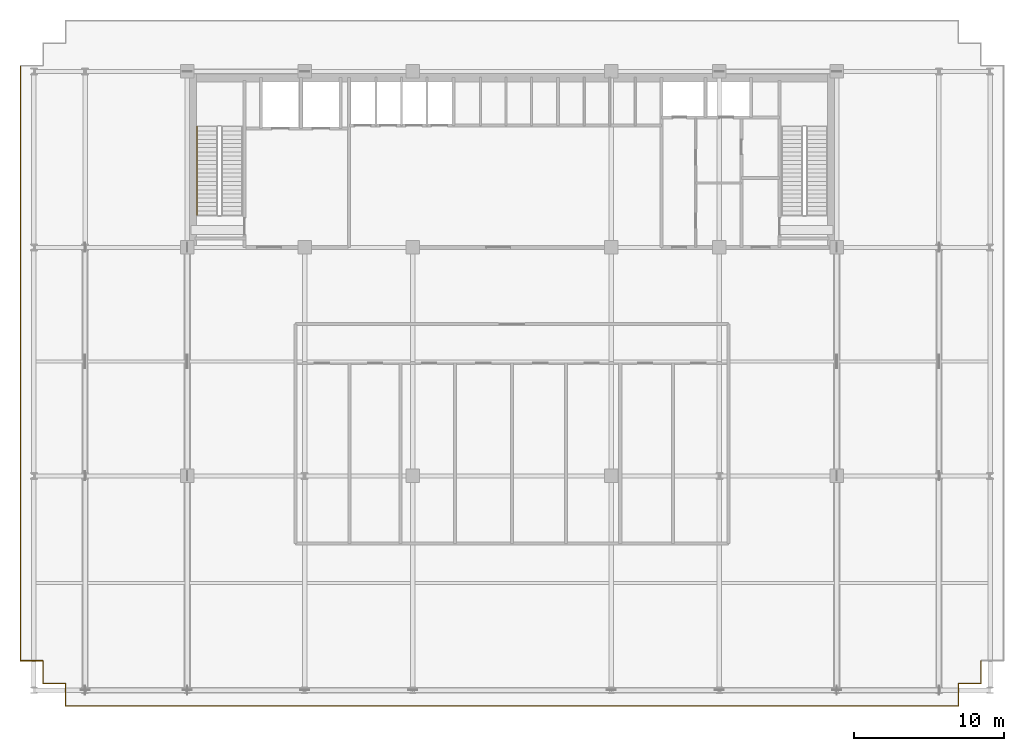
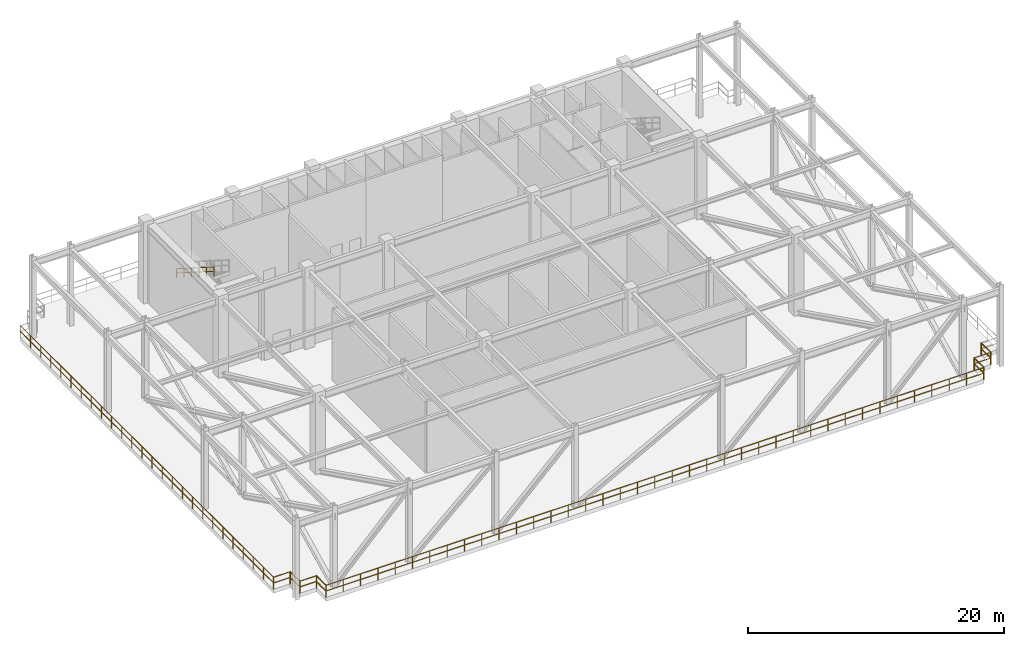
# One storey, part 13 of 16: 10 railings.
"""IFC4 building model written with IfcOpenShell, lengths in metres."""

from ifc_helpers import new_model, si_unit, direction, frame, origin, origin_2d, place, context, subcontext, project, spatial, rectangle, extrude, material, type_object, element, save


model = new_model("IFC4")

# Units and contexts
model_context = context("Model", 3, precision=1e-05, world=origin(), true_north=direction((0.0, 1.0)))
body_context = subcontext(model_context, "Body", "Model", "MODEL_VIEW")
ifc_project = project(units=[si_unit("LENGTHUNIT", "METRE"), si_unit("AREAUNIT", "SQUARE_METRE"), si_unit("VOLUMEUNIT", "CUBIC_METRE"), si_unit("PLANEANGLEUNIT", "RADIAN"), si_unit("MASSUNIT", "GRAM", prefix="KILO")], contexts=[model_context])

# Site, building, storey
site_placement = place(None, origin())
site = spatial("IfcSite", under=ifc_project, at=site_placement, CompositionType="ELEMENT")
building_placement = place(site_placement, origin())
building = spatial("IfcBuilding", under=site, at=building_placement, Name="Trelvane Seafront Commons", CompositionType="ELEMENT")
storey_placement = place(building_placement, frame((0.0, 0.0, 73.89990234375)))
storey = spatial("IfcBuildingStorey", under=building, at=storey_placement, Name="L19", CompositionType="ELEMENT", Elevation=73.89990234375)

# Railings
ifc_material = material(Name="Stainless steel balustrade", Category="steel")
railing_type_1 = type_object("IfcRailingType", Name="ARCH-RAIL-BAL1150", PredefinedType="BALUSTRADE", material=ifc_material)
railing_1_placement = place(storey_placement, frame((7.5, 2.89990234375, 0.0)))
element("IfcRailing", 1, at=railing_1_placement, inside=storey, type_object=railing_type_1, Name="RL-L19-PERIM-01", PredefinedType="BALUSTRADE", context=body_context, shape_type="SweptSolid", body=[
    extrude(rectangle(XDim=0.048095703125, YDim=0.048095703125, at=origin_2d()), frame((0.0, 0.0, 1.15576171875), z_axis=(1.0, 0.0, 0.0), x_axis=(0.0, 1.0, 0.0)), (0.0, 0.0, 1.0), 59.39990234375),
    extrude(rectangle(XDim=0.048095703125, YDim=0.048095703125, at=origin_2d()), frame((0.0, 0.0, 0.613525390625), z_axis=(1.0, 0.0, 0.0), x_axis=(0.0, 1.0, 0.0)), (0.0, 0.0, 1.0), 59.39990234375),
    extrude(rectangle(XDim=0.0419921875, YDim=0.0419921875, at=origin_2d()), origin(), (0.0, 0.0, 1.0), 1.15576171875),
    extrude(rectangle(XDim=0.0419921875, YDim=0.0419921875, at=origin_2d()), frame((1.563232421875, 0.0, 0.0)), (0.0, 0.0, 1.0), 1.15576171875),
    extrude(rectangle(XDim=0.0419921875, YDim=0.0419921875, at=origin_2d()), frame((3.126220703125, 0.0, 0.0)), (0.0, 0.0, 1.0), 1.15576171875),
    extrude(rectangle(XDim=0.0419921875, YDim=0.0419921875, at=origin_2d()), frame((4.689453125, 0.0, 0.0)), (0.0, 0.0, 1.0), 1.15576171875),
    extrude(rectangle(XDim=0.0419921875, YDim=0.0419921875, at=origin_2d()), frame((6.252685546875, 0.0, 0.0)), (0.0, 0.0, 1.0), 1.15576171875),
    extrude(rectangle(XDim=0.0419921875, YDim=0.0419921875, at=origin_2d()), frame((7.815673828125, 0.0, 0.0)), (0.0, 0.0, 1.0), 1.15576171875),
    extrude(rectangle(XDim=0.0419921875, YDim=0.0419921875, at=origin_2d()), frame((9.37890625, 0.0, 0.0)), (0.0, 0.0, 1.0), 1.15576171875),
    extrude(rectangle(XDim=0.0419921875, YDim=0.0419921875, at=origin_2d()), frame((10.942138671875, 0.0, 0.0)), (0.0, 0.0, 1.0), 1.15576171875),
    extrude(rectangle(XDim=0.0419921875, YDim=0.0419921875, at=origin_2d()), frame((12.505126953125, 0.0, 0.0)), (0.0, 0.0, 1.0), 1.15576171875),
    extrude(rectangle(XDim=0.0419921875, YDim=0.0419921875, at=origin_2d()), frame((14.068359375, 0.0, 0.0)), (0.0, 0.0, 1.0), 1.15576171875),
    extrude(rectangle(XDim=0.0419921875, YDim=0.0419921875, at=origin_2d()), frame((15.631591796875, 0.0, 0.0)), (0.0, 0.0, 1.0), 1.15576171875),
    extrude(rectangle(XDim=0.0419921875, YDim=0.0419921875, at=origin_2d()), frame((17.19482421875, 0.0, 0.0)), (0.0, 0.0, 1.0), 1.15576171875),
    extrude(rectangle(XDim=0.0419921875, YDim=0.0419921875, at=origin_2d()), frame((18.7578125, 0.0, 0.0)), (0.0, 0.0, 1.0), 1.15576171875),
    extrude(rectangle(XDim=0.0419921875, YDim=0.0419921875, at=origin_2d()), frame((20.321044921875, 0.0, 0.0)), (0.0, 0.0, 1.0), 1.15576171875),
    extrude(rectangle(XDim=0.0419921875, YDim=0.0419921875, at=origin_2d()), frame((21.88427734375, 0.0, 0.0)), (0.0, 0.0, 1.0), 1.15576171875),
    extrude(rectangle(XDim=0.0419921875, YDim=0.0419921875, at=origin_2d()), frame((23.447265625, 0.0, 0.0)), (0.0, 0.0, 1.0), 1.15576171875),
    extrude(rectangle(XDim=0.0419921875, YDim=0.0419921875, at=origin_2d()), frame((25.010498046875, 0.0, 0.0)), (0.0, 0.0, 1.0), 1.15576171875),
    extrude(rectangle(XDim=0.0419921875, YDim=0.0419921875, at=origin_2d()), frame((26.57373046875, 0.0, 0.0)), (0.0, 0.0, 1.0), 1.15576171875),
    extrude(rectangle(XDim=0.0419921875, YDim=0.0419921875, at=origin_2d()), frame((28.13671875, 0.0, 0.0)), (0.0, 0.0, 1.0), 1.15576171875),
    extrude(rectangle(XDim=0.0419921875, YDim=0.0419921875, at=origin_2d()), frame((29.699951171875, 0.0, 0.0)), (0.0, 0.0, 1.0), 1.15576171875),
    extrude(rectangle(XDim=0.0419921875, YDim=0.0419921875, at=origin_2d()), frame((31.26318359375, 0.0, 0.0)), (0.0, 0.0, 1.0), 1.15576171875),
    extrude(rectangle(XDim=0.0419921875, YDim=0.0419921875, at=origin_2d()), frame((32.826171875, 0.0, 0.0)), (0.0, 0.0, 1.0), 1.15576171875),
    extrude(rectangle(XDim=0.0419921875, YDim=0.0419921875, at=origin_2d()), frame((34.389404296875, 0.0, 0.0)), (0.0, 0.0, 1.0), 1.15576171875),
    extrude(rectangle(XDim=0.0419921875, YDim=0.0419921875, at=origin_2d()), frame((35.95263671875, 0.0, 0.0)), (0.0, 0.0, 1.0), 1.15576171875),
    extrude(rectangle(XDim=0.0419921875, YDim=0.0419921875, at=origin_2d()), frame((37.515625, 0.0, 0.0)), (0.0, 0.0, 1.0), 1.15576171875),
    extrude(rectangle(XDim=0.0419921875, YDim=0.0419921875, at=origin_2d()), frame((39.078857421875, 0.0, 0.0)), (0.0, 0.0, 1.0), 1.15576171875),
    extrude(rectangle(XDim=0.0419921875, YDim=0.0419921875, at=origin_2d()), frame((40.64208984375, 0.0, 0.0)), (0.0, 0.0, 1.0), 1.15576171875),
    extrude(rectangle(XDim=0.0419921875, YDim=0.0419921875, at=origin_2d()), frame((42.205078125, 0.0, 0.0)), (0.0, 0.0, 1.0), 1.15576171875),
    extrude(rectangle(XDim=0.0419921875, YDim=0.0419921875, at=origin_2d()), frame((43.768310546875, 0.0, 0.0)), (0.0, 0.0, 1.0), 1.15576171875),
    extrude(rectangle(XDim=0.0419921875, YDim=0.0419921875, at=origin_2d()), frame((45.33154296875, 0.0, 0.0)), (0.0, 0.0, 1.0), 1.15576171875),
    extrude(rectangle(XDim=0.0419921875, YDim=0.0419921875, at=origin_2d()), frame((46.894775390625, 0.0, 0.0)), (0.0, 0.0, 1.0), 1.15576171875),
    extrude(rectangle(XDim=0.0419921875, YDim=0.0419921875, at=origin_2d()), frame((48.457763671875, 0.0, 0.0)), (0.0, 0.0, 1.0), 1.15576171875),
    extrude(rectangle(XDim=0.0419921875, YDim=0.0419921875, at=origin_2d()), frame((50.02099609375, 0.0, 0.0)), (0.0, 0.0, 1.0), 1.15576171875),
    extrude(rectangle(XDim=0.0419921875, YDim=0.0419921875, at=origin_2d()), frame((51.584228515625, 0.0, 0.0)), (0.0, 0.0, 1.0), 1.15576171875),
    extrude(rectangle(XDim=0.0419921875, YDim=0.0419921875, at=origin_2d()), frame((53.147216796875, 0.0, 0.0)), (0.0, 0.0, 1.0), 1.15576171875),
    extrude(rectangle(XDim=0.0419921875, YDim=0.0419921875, at=origin_2d()), frame((54.71044921875, 0.0, 0.0)), (0.0, 0.0, 1.0), 1.15576171875),
    extrude(rectangle(XDim=0.0419921875, YDim=0.0419921875, at=origin_2d()), frame((56.273681640625, 0.0, 0.0)), (0.0, 0.0, 1.0), 1.15576171875),
    extrude(rectangle(XDim=0.0419921875, YDim=0.0419921875, at=origin_2d()), frame((57.836669921875, 0.0, 0.0)), (0.0, 0.0, 1.0), 1.15576171875),
    extrude(rectangle(XDim=0.0419921875, YDim=0.0419921875, at=origin_2d()), frame((59.39990234375, 0.0, 0.0)), (0.0, 0.0, 1.0), 1.15576171875),
])
railing_2_placement = place(storey_placement, frame((66.89990234375, 2.89990234375, 0.0)))
element("IfcRailing", 2, at=railing_2_placement, inside=storey, type_object=railing_type_1, Name="RL-L19-PERIM-02", PredefinedType="BALUSTRADE", context=body_context, shape_type="SweptSolid", body=[
    extrude(rectangle(XDim=0.048095703125, YDim=0.048095703125, at=origin_2d()), frame((0.0, 0.0, 1.15576171875), z_axis=(0.0, 1.0, 0.0), x_axis=(-1.0, 0.0, 0.0)), (0.0, 0.0, 1.0), 1.5),
    extrude(rectangle(XDim=0.048095703125, YDim=0.048095703125, at=origin_2d()), frame((0.0, 0.0, 0.613525390625), z_axis=(0.0, 1.0, 0.0), x_axis=(-1.0, 0.0, 0.0)), (0.0, 0.0, 1.0), 1.5),
    extrude(rectangle(XDim=0.0419921875, YDim=0.0419921875, at=origin_2d()), origin(), (0.0, 0.0, 1.0), 1.15576171875),
    extrude(rectangle(XDim=0.0419921875, YDim=0.0419921875, at=origin_2d()), frame((0.0, 1.5, 0.0)), (0.0, 0.0, 1.0), 1.15576171875),
])
railing_3_placement = place(storey_placement, frame((66.89990234375, 4.39990234375, 0.0)))
element("IfcRailing", 3, at=railing_3_placement, inside=storey, type_object=railing_type_1, Name="RL-L19-PERIM-03", PredefinedType="BALUSTRADE", context=body_context, shape_type="SweptSolid", body=[
    extrude(rectangle(XDim=0.048095703125, YDim=0.048095703125, at=origin_2d()), frame((0.0, 0.0, 1.15576171875), z_axis=(1.0, 0.0, 0.0), x_axis=(0.0, 1.0, 0.0)), (0.0, 0.0, 1.0), 1.5),
    extrude(rectangle(XDim=0.048095703125, YDim=0.048095703125, at=origin_2d()), frame((0.0, 0.0, 0.613525390625), z_axis=(1.0, 0.0, 0.0), x_axis=(0.0, 1.0, 0.0)), (0.0, 0.0, 1.0), 1.5),
    extrude(rectangle(XDim=0.0419921875, YDim=0.0419921875, at=origin_2d()), origin(), (0.0, 0.0, 1.0), 1.15576171875),
    extrude(rectangle(XDim=0.0419921875, YDim=0.0419921875, at=origin_2d()), frame((1.5, 0.0, 0.0)), (0.0, 0.0, 1.0), 1.15576171875),
])
railing_4_placement = place(storey_placement, frame((68.39990234375, 4.39990234375, 0.0)))
element("IfcRailing", 4, at=railing_4_placement, inside=storey, type_object=railing_type_1, Name="RL-L19-PERIM-04", PredefinedType="BALUSTRADE", context=body_context, shape_type="SweptSolid", body=[
    extrude(rectangle(XDim=0.048095703125, YDim=0.048095703125, at=origin_2d()), frame((0.0, 0.0, 1.15576171875), z_axis=(0.0, 1.0, 0.0), x_axis=(-1.0, 0.0, 0.0)), (0.0, 0.0, 1.0), 1.5),
    extrude(rectangle(XDim=0.048095703125, YDim=0.048095703125, at=origin_2d()), frame((0.0, 0.0, 0.613525390625), z_axis=(0.0, 1.0, 0.0), x_axis=(-1.0, 0.0, 0.0)), (0.0, 0.0, 1.0), 1.5),
    extrude(rectangle(XDim=0.0419921875, YDim=0.0419921875, at=origin_2d()), origin(), (0.0, 0.0, 1.0), 1.15576171875),
    extrude(rectangle(XDim=0.0419921875, YDim=0.0419921875, at=origin_2d()), frame((0.0, 1.5, 0.0)), (0.0, 0.0, 1.0), 1.15576171875),
])
railing_5_placement = place(storey_placement, frame((4.5, 45.5, 0.0)))
element("IfcRailing", 5, at=railing_5_placement, inside=storey, type_object=railing_type_1, Name="RL-L19-PERIM-16", PredefinedType="BALUSTRADE", context=body_context, shape_type="SweptSolid", body=[
    extrude(rectangle(XDim=0.048095703125, YDim=0.048095703125, at=origin_2d()), frame((0.0, 0.0, 1.15576171875), z_axis=(0.0, -1.0, 0.0), x_axis=(1.0, 0.0, 0.0)), (0.0, 0.0, 1.0), 39.60009765625),
    extrude(rectangle(XDim=0.048095703125, YDim=0.048095703125, at=origin_2d()), frame((0.0, 0.0, 0.613525390625), z_axis=(0.0, -1.0, 0.0), x_axis=(1.0, 0.0, 0.0)), (0.0, 0.0, 1.0), 39.60009765625),
    extrude(rectangle(XDim=0.0419921875, YDim=0.0419921875, at=origin_2d()), origin(), (0.0, 0.0, 1.0), 1.15576171875),
    extrude(rectangle(XDim=0.0419921875, YDim=0.0419921875, at=origin_2d()), frame((0.0, -1.583984375, 0.0)), (0.0, 0.0, 1.0), 1.15576171875),
    extrude(rectangle(XDim=0.0419921875, YDim=0.0419921875, at=origin_2d()), frame((0.0, -3.16796875, 0.0)), (0.0, 0.0, 1.0), 1.15576171875),
    extrude(rectangle(XDim=0.0419921875, YDim=0.0419921875, at=origin_2d()), frame((0.0, -4.751953125, 0.0)), (0.0, 0.0, 1.0), 1.15576171875),
    extrude(rectangle(XDim=0.0419921875, YDim=0.0419921875, at=origin_2d()), frame((0.0, -6.3359375, 0.0)), (0.0, 0.0, 1.0), 1.15576171875),
    extrude(rectangle(XDim=0.0419921875, YDim=0.0419921875, at=origin_2d()), frame((0.0, -7.919921875, 0.0)), (0.0, 0.0, 1.0), 1.15576171875),
    extrude(rectangle(XDim=0.0419921875, YDim=0.0419921875, at=origin_2d()), frame((0.0, -9.50390625, 0.0)), (0.0, 0.0, 1.0), 1.15576171875),
    extrude(rectangle(XDim=0.0419921875, YDim=0.0419921875, at=origin_2d()), frame((0.0, -11.088134765625, 0.0)), (0.0, 0.0, 1.0), 1.15576171875),
    extrude(rectangle(XDim=0.0419921875, YDim=0.0419921875, at=origin_2d()), frame((0.0, -12.672119140625, 0.0)), (0.0, 0.0, 1.0), 1.15576171875),
    extrude(rectangle(XDim=0.0419921875, YDim=0.0419921875, at=origin_2d()), frame((0.0, -14.256103515625, 0.0)), (0.0, 0.0, 1.0), 1.15576171875),
    extrude(rectangle(XDim=0.0419921875, YDim=0.0419921875, at=origin_2d()), frame((0.0, -15.840087890625, 0.0)), (0.0, 0.0, 1.0), 1.15576171875),
    extrude(rectangle(XDim=0.0419921875, YDim=0.0419921875, at=origin_2d()), frame((0.0, -17.424072265625, 0.0)), (0.0, 0.0, 1.0), 1.15576171875),
    extrude(rectangle(XDim=0.0419921875, YDim=0.0419921875, at=origin_2d()), frame((0.0, -19.008056640625, 0.0)), (0.0, 0.0, 1.0), 1.15576171875),
    extrude(rectangle(XDim=0.0419921875, YDim=0.0419921875, at=origin_2d()), frame((0.0, -20.592041015625, 0.0)), (0.0, 0.0, 1.0), 1.15576171875),
    extrude(rectangle(XDim=0.0419921875, YDim=0.0419921875, at=origin_2d()), frame((0.0, -22.176025390625, 0.0)), (0.0, 0.0, 1.0), 1.15576171875),
    extrude(rectangle(XDim=0.0419921875, YDim=0.0419921875, at=origin_2d()), frame((0.0, -23.760009765625, 0.0)), (0.0, 0.0, 1.0), 1.15576171875),
    extrude(rectangle(XDim=0.0419921875, YDim=0.0419921875, at=origin_2d()), frame((0.0, -25.343994140625, 0.0)), (0.0, 0.0, 1.0), 1.15576171875),
    extrude(rectangle(XDim=0.0419921875, YDim=0.0419921875, at=origin_2d()), frame((0.0, -26.927978515625, 0.0)), (0.0, 0.0, 1.0), 1.15576171875),
    extrude(rectangle(XDim=0.0419921875, YDim=0.0419921875, at=origin_2d()), frame((0.0, -28.511962890625, 0.0)), (0.0, 0.0, 1.0), 1.15576171875),
    extrude(rectangle(XDim=0.0419921875, YDim=0.0419921875, at=origin_2d()), frame((0.0, -30.09619140625, 0.0)), (0.0, 0.0, 1.0), 1.15576171875),
    extrude(rectangle(XDim=0.0419921875, YDim=0.0419921875, at=origin_2d()), frame((0.0, -31.68017578125, 0.0)), (0.0, 0.0, 1.0), 1.15576171875),
    extrude(rectangle(XDim=0.0419921875, YDim=0.0419921875, at=origin_2d()), frame((0.0, -33.26416015625, 0.0)), (0.0, 0.0, 1.0), 1.15576171875),
    extrude(rectangle(XDim=0.0419921875, YDim=0.0419921875, at=origin_2d()), frame((0.0, -34.84814453125, 0.0)), (0.0, 0.0, 1.0), 1.15576171875),
    extrude(rectangle(XDim=0.0419921875, YDim=0.0419921875, at=origin_2d()), frame((0.0, -36.43212890625, 0.0)), (0.0, 0.0, 1.0), 1.15576171875),
    extrude(rectangle(XDim=0.0419921875, YDim=0.0419921875, at=origin_2d()), frame((0.0, -38.01611328125, 0.0)), (0.0, 0.0, 1.0), 1.15576171875),
    extrude(rectangle(XDim=0.0419921875, YDim=0.0419921875, at=origin_2d()), frame((0.0, -39.60009765625, 0.0)), (0.0, 0.0, 1.0), 1.15576171875),
])
railing_6_placement = place(storey_placement, frame((4.5, 5.89990234375, 0.0)))
element("IfcRailing", 6, at=railing_6_placement, inside=storey, type_object=railing_type_1, Name="RL-L19-PERIM-17", PredefinedType="BALUSTRADE", context=body_context, shape_type="SweptSolid", body=[
    extrude(rectangle(XDim=0.048095703125, YDim=0.048095703125, at=origin_2d()), frame((0.0, 0.0, 1.15576171875), z_axis=(1.0, 0.0, 0.0), x_axis=(0.0, 1.0, 0.0)), (0.0, 0.0, 1.0), 1.5),
    extrude(rectangle(XDim=0.048095703125, YDim=0.048095703125, at=origin_2d()), frame((0.0, 0.0, 0.613525390625), z_axis=(1.0, 0.0, 0.0), x_axis=(0.0, 1.0, 0.0)), (0.0, 0.0, 1.0), 1.5),
    extrude(rectangle(XDim=0.0419921875, YDim=0.0419921875, at=origin_2d()), origin(), (0.0, 0.0, 1.0), 1.15576171875),
    extrude(rectangle(XDim=0.0419921875, YDim=0.0419921875, at=origin_2d()), frame((1.5, 0.0, 0.0)), (0.0, 0.0, 1.0), 1.15576171875),
])
railing_7_placement = place(storey_placement, frame((6.0, 5.89990234375, 0.0)))
element("IfcRailing", 7, at=railing_7_placement, inside=storey, type_object=railing_type_1, Name="RL-L19-PERIM-18", PredefinedType="BALUSTRADE", context=body_context, shape_type="SweptSolid", body=[
    extrude(rectangle(XDim=0.048095703125, YDim=0.048095703125, at=origin_2d()), frame((0.0, 0.0, 1.15576171875), z_axis=(0.0, -1.0, 0.0), x_axis=(1.0, 0.0, 0.0)), (0.0, 0.0, 1.0), 1.5),
    extrude(rectangle(XDim=0.048095703125, YDim=0.048095703125, at=origin_2d()), frame((0.0, 0.0, 0.613525390625), z_axis=(0.0, -1.0, 0.0), x_axis=(1.0, 0.0, 0.0)), (0.0, 0.0, 1.0), 1.5),
    extrude(rectangle(XDim=0.0419921875, YDim=0.0419921875, at=origin_2d()), origin(), (0.0, 0.0, 1.0), 1.15576171875),
    extrude(rectangle(XDim=0.0419921875, YDim=0.0419921875, at=origin_2d()), frame((0.0, -1.5, 0.0)), (0.0, 0.0, 1.0), 1.15576171875),
])
railing_8_placement = place(storey_placement, frame((6.0, 4.39990234375, 0.0)))
element("IfcRailing", 8, at=railing_8_placement, inside=storey, type_object=railing_type_1, Name="RL-L19-PERIM-19", PredefinedType="BALUSTRADE", context=body_context, shape_type="SweptSolid", body=[
    extrude(rectangle(XDim=0.048095703125, YDim=0.048095703125, at=origin_2d()), frame((0.0, 0.0, 1.15576171875), z_axis=(1.0, 0.0, 0.0), x_axis=(0.0, 1.0, 0.0)), (0.0, 0.0, 1.0), 1.5),
    extrude(rectangle(XDim=0.048095703125, YDim=0.048095703125, at=origin_2d()), frame((0.0, 0.0, 0.613525390625), z_axis=(1.0, 0.0, 0.0), x_axis=(0.0, 1.0, 0.0)), (0.0, 0.0, 1.0), 1.5),
    extrude(rectangle(XDim=0.0419921875, YDim=0.0419921875, at=origin_2d()), origin(), (0.0, 0.0, 1.0), 1.15576171875),
    extrude(rectangle(XDim=0.0419921875, YDim=0.0419921875, at=origin_2d()), frame((1.5, 0.0, 0.0)), (0.0, 0.0, 1.0), 1.15576171875),
])
railing_9_placement = place(storey_placement, frame((7.5, 4.39990234375, 0.0)))
element("IfcRailing", 9, at=railing_9_placement, inside=storey, type_object=railing_type_1, Name="RL-L19-PERIM-20", PredefinedType="BALUSTRADE", context=body_context, shape_type="SweptSolid", body=[
    extrude(rectangle(XDim=0.048095703125, YDim=0.048095703125, at=origin_2d()), frame((0.0, 0.0, 1.15576171875), z_axis=(0.0, -1.0, 0.0), x_axis=(1.0, 0.0, 0.0)), (0.0, 0.0, 1.0), 1.5),
    extrude(rectangle(XDim=0.048095703125, YDim=0.048095703125, at=origin_2d()), frame((0.0, 0.0, 0.613525390625), z_axis=(0.0, -1.0, 0.0), x_axis=(1.0, 0.0, 0.0)), (0.0, 0.0, 1.0), 1.5),
    extrude(rectangle(XDim=0.0419921875, YDim=0.0419921875, at=origin_2d()), origin(), (0.0, 0.0, 1.0), 1.15576171875),
    extrude(rectangle(XDim=0.0419921875, YDim=0.0419921875, at=origin_2d()), frame((0.0, -1.5, 0.0)), (0.0, 0.0, 1.0), 1.15576171875),
])
railing_type_2 = type_object("IfcRailingType", Name="ARCH-SRL-HAND", PredefinedType="HANDRAIL", material=ifc_material)
railing_10_placement = place(storey_placement, frame((16.25, 41.429931640625, 4.077392578125)))
element("IfcRailing", 10, at=railing_10_placement, inside=storey, type_object=railing_type_2, Name="L19 ST-1 stair handrail 2", PredefinedType="HANDRAIL", context=body_context, shape_type="SweptSolid", body=[
    extrude(rectangle(XDim=0.048095703125, YDim=0.048095703125, at=origin_2d()), frame((0.0, 0.0, 0.8759765625), z_axis=(0.0, -0.844901525001, 0.534921875652), x_axis=(1.0, 0.0, 0.0)), (0.0, 0.0, 1.0), 6.959228515625),
    extrude(rectangle(XDim=0.048095703125, YDim=0.048095703125, at=origin_2d()), frame((0.0, 0.0, 0.468017578125), z_axis=(0.0, -0.844901525001, 0.534921875652), x_axis=(1.0, 0.0, 0.0)), (0.0, 0.0, 1.0), 6.959228515625),
    extrude(rectangle(XDim=0.0419921875, YDim=0.0419921875, at=origin_2d()), origin(), (0.0, 0.0, 1.0), 0.8759765625),
    extrude(rectangle(XDim=0.0419921875, YDim=0.0419921875, at=origin_2d()), frame((0.0, -1.176025390625, 0.74462890625)), (0.0, 0.0, 1.0), 0.8759765625),
    extrude(rectangle(XDim=0.0419921875, YDim=0.0419921875, at=origin_2d()), frame((0.0, -2.35205078125, 1.489013671875)), (0.0, 0.0, 1.0), 0.8759765625),
    extrude(rectangle(XDim=0.0419921875, YDim=0.0419921875, at=origin_2d()), frame((0.0, -3.52783203125, 2.233642578125)), (0.0, 0.0, 1.0), 0.8759765625),
    extrude(rectangle(XDim=0.0419921875, YDim=0.0419921875, at=origin_2d()), frame((0.0, -4.703857421875, 2.97802734375)), (0.0, 0.0, 1.0), 0.8759765625),
    extrude(rectangle(XDim=0.0419921875, YDim=0.0419921875, at=origin_2d()), frame((0.0, -5.8798828125, 3.72265625)), (0.0, 0.0, 1.0), 0.8759765625),
])

save(model, "model.ifc")
